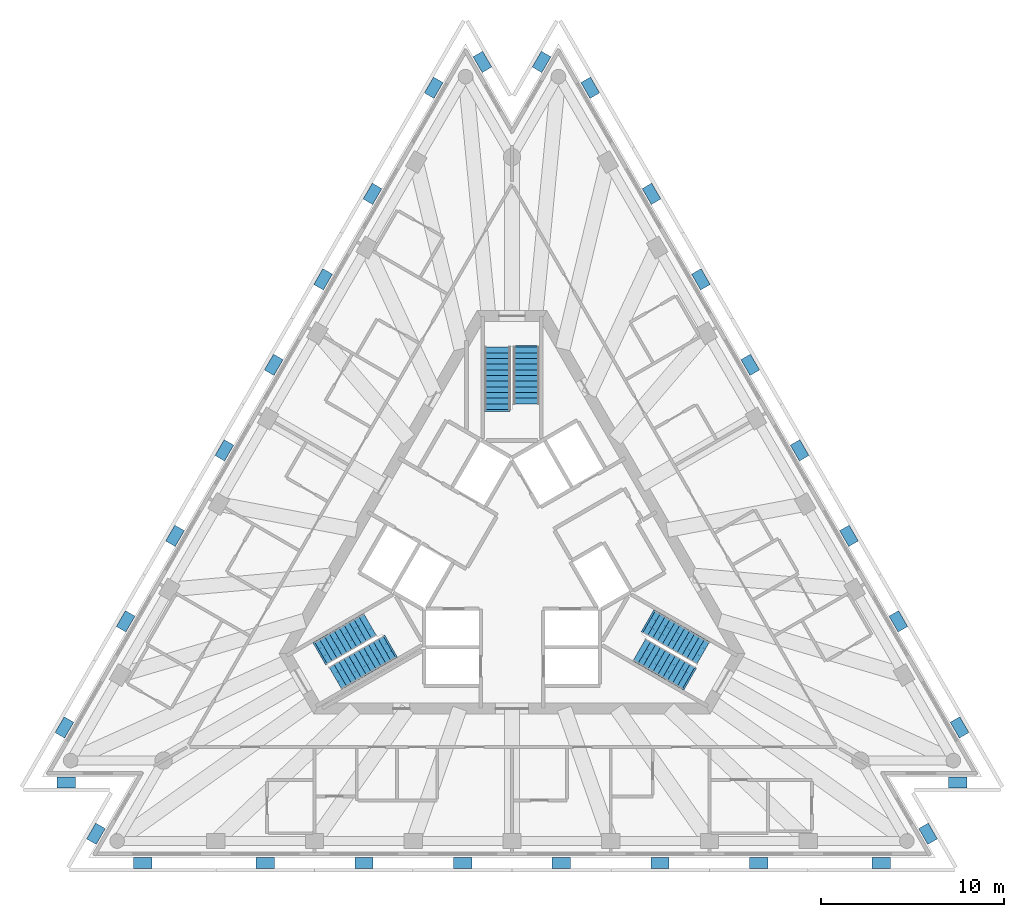
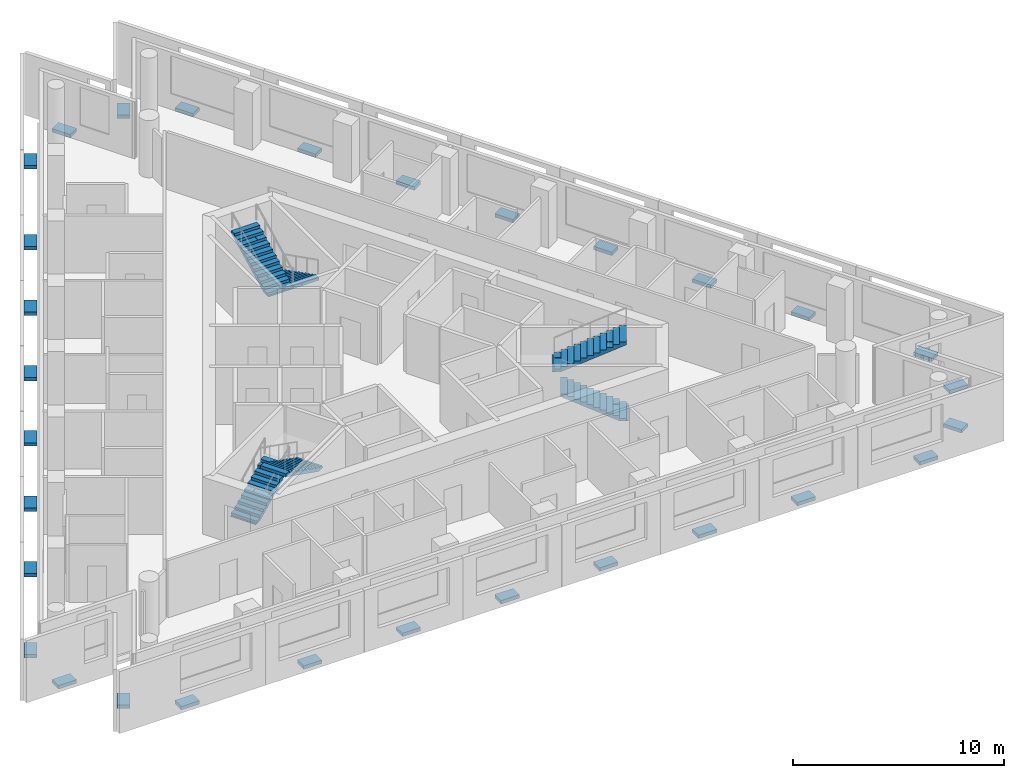
# One storey, part 8 of 10: 30 discrete accessories, 6 stair flights, 3 elements without a shape of their own.
"""IFC4 building model written with IfcOpenShell, lengths in metres."""

from ifc_helpers import new_model, si_unit, direction, frame, origin, origin_2d, place, context, subcontext, project, spatial, polyline, rectangle, outline, extrude, material, type_object, element, aggregate, save


model = new_model("IFC4")

# Units and contexts
model_context = context("Model", 3, precision=1e-05, world=origin(), true_north=direction((0.0, 1.0)))
body_context = subcontext(model_context, "Body", "Model", "MODEL_VIEW")
ifc_project = project(units=[si_unit("LENGTHUNIT", "METRE"), si_unit("AREAUNIT", "SQUARE_METRE"), si_unit("VOLUMEUNIT", "CUBIC_METRE"), si_unit("PLANEANGLEUNIT", "RADIAN"), si_unit("MASSUNIT", "GRAM", prefix="KILO")], contexts=[model_context])

# Site, building, storey
site_placement = place(None, origin())
site = spatial("IfcSite", under=ifc_project, at=site_placement, CompositionType="ELEMENT")
building_placement = place(site_placement, origin())
building = spatial("IfcBuilding", under=site, at=building_placement, Name="Triada Interchange Tower", CompositionType="ELEMENT")
storey_placement = place(building_placement, frame((0.0, 0.0, 289.89990234375)))
storey = spatial("IfcBuildingStorey", under=building, at=storey_placement, Name="L68", CompositionType="ELEMENT", Elevation=289.89990234375)

# Stair, stair flights
ifc_material_1 = material(Name="Concrete C35/45", Category="concrete")
stair_type = type_object("IfcStairType", Name="HALF TURN STAIR 1400", PredefinedType="HALF_TURN_STAIR", material=ifc_material_1)
stair_1_placement = place(storey_placement, origin())
stair_1 = element("IfcStair", 1, at=stair_1_placement, inside=storey, type_object=stair_type, Name="Exit stair S68-1", PredefinedType="HALF_TURN_STAIR")
stair_flight_type = type_object("IfcStairFlightType", Name="STRAIGHT STAIR FLIGHT 1400", PredefinedType="STRAIGHT", material=ifc_material_1)
stair_flight_1_placement = place(storey_placement, frame((0.800048828125, 11.60009765625, 0.0), z_axis=(0.0, 0.0, 1.0), x_axis=(0.0, -1.0, 0.0)))
stair_flight_1 = element("IfcStairFlight", 2, at=stair_flight_1_placement, type_object=stair_flight_type, Name="S68-1 flight 1", NumberOfRisers=11, NumberOfTreads=10, PredefinedType="STRAIGHT", RiserHeight=0.15652, TreadLength=0.31, context=body_context, shape_type="SweptSolid", body=[
    extrude(outline(polyline([(-0.10009765625, 0.0), (-0.10009765625, 0.02001953125), (0.0, 0.02001953125), (0.0, 0.156494140625), (0.31005859375, 0.156494140625), (0.31005859375, 0.31298828125), (0.6201171875, 0.31298828125), (0.6201171875, 0.469482421875), (0.929931640625, 0.469482421875), (0.929931640625, 0.6259765625), (1.239990234375, 0.6259765625), (1.239990234375, 0.78271484375), (1.550048828125, 0.78271484375), (1.550048828125, 0.939208984375), (1.860107421875, 0.939208984375), (1.860107421875, 1.095703125), (2.169921875, 1.095703125), (2.169921875, 1.252197265625), (2.47998046875, 1.252197265625), (2.47998046875, 1.40869140625), (2.7900390625, 1.40869140625), (2.7900390625, 1.565185546875), (3.10009765625, 1.565185546875), (3.10400390625, 1.565185546875), (3.10400390625, 1.7216796875), (3.10400390625, 1.397216796875), (0.33251953125, 0.0), (-0.10009765625, 0.0)])), frame((0.0, 0.699951171875, 0.0), z_axis=(0.0, -1.0, 0.0), x_axis=(1.0, 0.0, 0.0)), (0.0, 0.0, 1.0), 0.46533203125),
    extrude(outline(polyline([(-0.10009765625, 0.0), (-0.10009765625, 0.02001953125), (0.0, 0.02001953125), (0.0, 0.156494140625), (0.31005859375, 0.156494140625), (0.31005859375, 0.31298828125), (0.6201171875, 0.31298828125), (0.6201171875, 0.469482421875), (0.929931640625, 0.469482421875), (0.929931640625, 0.6259765625), (1.239990234375, 0.6259765625), (1.239990234375, 0.78271484375), (1.550048828125, 0.78271484375), (1.550048828125, 0.939208984375), (1.860107421875, 0.939208984375), (1.860107421875, 1.095703125), (2.169921875, 1.095703125), (2.169921875, 1.252197265625), (2.47998046875, 1.252197265625), (2.47998046875, 1.40869140625), (2.7900390625, 1.40869140625), (2.7900390625, 1.565185546875), (3.10009765625, 1.565185546875), (3.10400390625, 1.565185546875), (3.10400390625, 1.7216796875), (3.10400390625, 1.397216796875), (0.33251953125, 0.0), (-0.10009765625, 0.0)])), frame((0.0, 0.232666015625, 0.0), z_axis=(0.0, -1.0, 0.0), x_axis=(1.0, 0.0, 0.0)), (0.0, 0.0, 1.0), 0.46533203125),
    extrude(outline(polyline([(-0.10009765625, 0.0), (-0.10009765625, 0.02001953125), (0.0, 0.02001953125), (0.0, 0.156494140625), (0.31005859375, 0.156494140625), (0.31005859375, 0.31298828125), (0.6201171875, 0.31298828125), (0.6201171875, 0.469482421875), (0.929931640625, 0.469482421875), (0.929931640625, 0.6259765625), (1.239990234375, 0.6259765625), (1.239990234375, 0.78271484375), (1.550048828125, 0.78271484375), (1.550048828125, 0.939208984375), (1.860107421875, 0.939208984375), (1.860107421875, 1.095703125), (2.169921875, 1.095703125), (2.169921875, 1.252197265625), (2.47998046875, 1.252197265625), (2.47998046875, 1.40869140625), (2.7900390625, 1.40869140625), (2.7900390625, 1.565185546875), (3.10009765625, 1.565185546875), (3.10400390625, 1.565185546875), (3.10400390625, 1.7216796875), (3.10400390625, 1.397216796875), (0.33251953125, 0.0), (-0.10009765625, 0.0)])), frame((0.0, -0.234619140625, 0.0), z_axis=(0.0, -1.0, 0.0), x_axis=(1.0, 0.0, 0.0)), (0.0, 0.0, 1.0), 0.46533203125),
])
stair_flight_2_placement = place(storey_placement, frame((-0.800048828125, 8.18994140625, 1.7216796875), z_axis=(0.0, 0.0, 1.0), x_axis=(0.0, 1.0, 0.0)))
stair_flight_2 = element("IfcStairFlight", 3, at=stair_flight_2_placement, type_object=stair_flight_type, Name="S68-1 flight 2", NumberOfRisers=12, NumberOfTreads=11, PredefinedType="STRAIGHT", RiserHeight=0.15652, TreadLength=0.31, context=body_context, shape_type="SweptSolid", body=[
    extrude(outline(polyline([(-0.10009765625, 0.0), (-0.10009765625, 0.02001953125), (0.0, 0.02001953125), (0.0, 0.156494140625), (0.31005859375, 0.156494140625), (0.31005859375, 0.31298828125), (0.6201171875, 0.31298828125), (0.6201171875, 0.469482421875), (0.929931640625, 0.469482421875), (0.929931640625, 0.6259765625), (1.239990234375, 0.6259765625), (1.239990234375, 0.78271484375), (1.550048828125, 0.78271484375), (1.550048828125, 0.939208984375), (1.860107421875, 0.939208984375), (1.860107421875, 1.095703125), (2.169921875, 1.095703125), (2.169921875, 1.252197265625), (2.47998046875, 1.252197265625), (2.47998046875, 1.40869140625), (2.7900390625, 1.40869140625), (2.7900390625, 1.565185546875), (3.10009765625, 1.565185546875), (3.10009765625, 1.7216796875), (3.409912109375, 1.7216796875), (3.4140625, 1.7216796875), (3.4140625, 1.878173828125), (3.4140625, 1.5537109375), (0.33251953125, 0.0), (-0.10009765625, 0.0)])), frame((0.0, 0.699951171875, 0.0), z_axis=(0.0, -1.0, 0.0), x_axis=(1.0, 0.0, 0.0)), (0.0, 0.0, 1.0), 0.46533203125),
    extrude(outline(polyline([(-0.10009765625, 0.0), (-0.10009765625, 0.02001953125), (0.0, 0.02001953125), (0.0, 0.156494140625), (0.31005859375, 0.156494140625), (0.31005859375, 0.31298828125), (0.6201171875, 0.31298828125), (0.6201171875, 0.469482421875), (0.929931640625, 0.469482421875), (0.929931640625, 0.6259765625), (1.239990234375, 0.6259765625), (1.239990234375, 0.78271484375), (1.550048828125, 0.78271484375), (1.550048828125, 0.939208984375), (1.860107421875, 0.939208984375), (1.860107421875, 1.095703125), (2.169921875, 1.095703125), (2.169921875, 1.252197265625), (2.47998046875, 1.252197265625), (2.47998046875, 1.40869140625), (2.7900390625, 1.40869140625), (2.7900390625, 1.565185546875), (3.10009765625, 1.565185546875), (3.10009765625, 1.7216796875), (3.409912109375, 1.7216796875), (3.4140625, 1.7216796875), (3.4140625, 1.878173828125), (3.4140625, 1.5537109375), (0.33251953125, 0.0), (-0.10009765625, 0.0)])), frame((0.0, 0.232666015625, 0.0), z_axis=(0.0, -1.0, 0.0), x_axis=(1.0, 0.0, 0.0)), (0.0, 0.0, 1.0), 0.46533203125),
    extrude(outline(polyline([(-0.10009765625, 0.0), (-0.10009765625, 0.02001953125), (0.0, 0.02001953125), (0.0, 0.156494140625), (0.31005859375, 0.156494140625), (0.31005859375, 0.31298828125), (0.6201171875, 0.31298828125), (0.6201171875, 0.469482421875), (0.929931640625, 0.469482421875), (0.929931640625, 0.6259765625), (1.239990234375, 0.6259765625), (1.239990234375, 0.78271484375), (1.550048828125, 0.78271484375), (1.550048828125, 0.939208984375), (1.860107421875, 0.939208984375), (1.860107421875, 1.095703125), (2.169921875, 1.095703125), (2.169921875, 1.252197265625), (2.47998046875, 1.252197265625), (2.47998046875, 1.40869140625), (2.7900390625, 1.40869140625), (2.7900390625, 1.565185546875), (3.10009765625, 1.565185546875), (3.10009765625, 1.7216796875), (3.409912109375, 1.7216796875), (3.4140625, 1.7216796875), (3.4140625, 1.878173828125), (3.4140625, 1.5537109375), (0.33251953125, 0.0), (-0.10009765625, 0.0)])), frame((0.0, -0.234619140625, 0.0), z_axis=(0.0, -1.0, 0.0), x_axis=(1.0, 0.0, 0.0)), (0.0, 0.0, 1.0), 0.46533203125),
])
aggregate(stair_1, [stair_flight_1, stair_flight_2])

stair_2_placement = place(storey_placement, origin())
stair_2 = element("IfcStair", 4, at=stair_2_placement, inside=storey, type_object=stair_type, Name="Exit stair S68-2", PredefinedType="HALF_TURN_STAIR")
stair_flight_3_placement = place(storey_placement, frame((-10.446044921875, -5.10693359375, 0.0), z_axis=(0.0, 0.0, 1.0), x_axis=(0.866025403784, 0.5, 0.0)))
stair_flight_3 = element("IfcStairFlight", 5, at=stair_flight_3_placement, type_object=stair_flight_type, Name="S68-2 flight 1", NumberOfRisers=11, NumberOfTreads=10, PredefinedType="STRAIGHT", RiserHeight=0.15652, TreadLength=0.31, context=body_context, shape_type="SweptSolid", body=[
    extrude(outline(polyline([(-0.10009765625, 0.0), (-0.10009765625, 0.02001953125), (0.0, 0.02001953125), (0.0, 0.156494140625), (0.31005859375, 0.156494140625), (0.31005859375, 0.31298828125), (0.6201171875, 0.31298828125), (0.6201171875, 0.469482421875), (0.929931640625, 0.469482421875), (0.929931640625, 0.6259765625), (1.239990234375, 0.6259765625), (1.239990234375, 0.78271484375), (1.550048828125, 0.78271484375), (1.550048828125, 0.939208984375), (1.860107421875, 0.939208984375), (1.860107421875, 1.095703125), (2.169921875, 1.095703125), (2.169921875, 1.252197265625), (2.47998046875, 1.252197265625), (2.47998046875, 1.40869140625), (2.7900390625, 1.40869140625), (2.7900390625, 1.565185546875), (3.10009765625, 1.565185546875), (3.10400390625, 1.565185546875), (3.10400390625, 1.7216796875), (3.10400390625, 1.397216796875), (0.33251953125, 0.0), (-0.10009765625, 0.0)])), frame((0.0, 0.699951171875, 0.0), z_axis=(0.0, -1.0, 0.0), x_axis=(1.0, 0.0, 0.0)), (0.0, 0.0, 1.0), 0.46533203125),
    extrude(outline(polyline([(-0.10009765625, 0.0), (-0.10009765625, 0.02001953125), (0.0, 0.02001953125), (0.0, 0.156494140625), (0.31005859375, 0.156494140625), (0.31005859375, 0.31298828125), (0.6201171875, 0.31298828125), (0.6201171875, 0.469482421875), (0.929931640625, 0.469482421875), (0.929931640625, 0.6259765625), (1.239990234375, 0.6259765625), (1.239990234375, 0.78271484375), (1.550048828125, 0.78271484375), (1.550048828125, 0.939208984375), (1.860107421875, 0.939208984375), (1.860107421875, 1.095703125), (2.169921875, 1.095703125), (2.169921875, 1.252197265625), (2.47998046875, 1.252197265625), (2.47998046875, 1.40869140625), (2.7900390625, 1.40869140625), (2.7900390625, 1.565185546875), (3.10009765625, 1.565185546875), (3.10400390625, 1.565185546875), (3.10400390625, 1.7216796875), (3.10400390625, 1.397216796875), (0.33251953125, 0.0), (-0.10009765625, 0.0)])), frame((0.0, 0.232666015625, 0.0), z_axis=(0.0, -1.0, 0.0), x_axis=(1.0, 0.0, 0.0)), (0.0, 0.0, 1.0), 0.46533203125),
    extrude(outline(polyline([(-0.10009765625, 0.0), (-0.10009765625, 0.02001953125), (0.0, 0.02001953125), (0.0, 0.156494140625), (0.31005859375, 0.156494140625), (0.31005859375, 0.31298828125), (0.6201171875, 0.31298828125), (0.6201171875, 0.469482421875), (0.929931640625, 0.469482421875), (0.929931640625, 0.6259765625), (1.239990234375, 0.6259765625), (1.239990234375, 0.78271484375), (1.550048828125, 0.78271484375), (1.550048828125, 0.939208984375), (1.860107421875, 0.939208984375), (1.860107421875, 1.095703125), (2.169921875, 1.095703125), (2.169921875, 1.252197265625), (2.47998046875, 1.252197265625), (2.47998046875, 1.40869140625), (2.7900390625, 1.40869140625), (2.7900390625, 1.565185546875), (3.10009765625, 1.565185546875), (3.10400390625, 1.565185546875), (3.10400390625, 1.7216796875), (3.10400390625, 1.397216796875), (0.33251953125, 0.0), (-0.10009765625, 0.0)])), frame((0.0, -0.234619140625, 0.0), z_axis=(0.0, -1.0, 0.0), x_axis=(1.0, 0.0, 0.0)), (0.0, 0.0, 1.0), 0.46533203125),
])
stair_flight_4_placement = place(storey_placement, frame((-6.693115234375, -4.7880859375, 1.7216796875), z_axis=(0.0, 0.0, 1.0), x_axis=(-0.866025403784, -0.5, 0.0)))
stair_flight_4 = element("IfcStairFlight", 6, at=stair_flight_4_placement, type_object=stair_flight_type, Name="S68-2 flight 2", NumberOfRisers=12, NumberOfTreads=11, PredefinedType="STRAIGHT", RiserHeight=0.15652, TreadLength=0.31, context=body_context, shape_type="SweptSolid", body=[
    extrude(outline(polyline([(-0.10009765625, 0.0), (-0.10009765625, 0.02001953125), (0.0, 0.02001953125), (0.0, 0.156494140625), (0.31005859375, 0.156494140625), (0.31005859375, 0.31298828125), (0.6201171875, 0.31298828125), (0.6201171875, 0.469482421875), (0.929931640625, 0.469482421875), (0.929931640625, 0.6259765625), (1.239990234375, 0.6259765625), (1.239990234375, 0.78271484375), (1.550048828125, 0.78271484375), (1.550048828125, 0.939208984375), (1.860107421875, 0.939208984375), (1.860107421875, 1.095703125), (2.169921875, 1.095703125), (2.169921875, 1.252197265625), (2.47998046875, 1.252197265625), (2.47998046875, 1.40869140625), (2.7900390625, 1.40869140625), (2.7900390625, 1.565185546875), (3.10009765625, 1.565185546875), (3.10009765625, 1.7216796875), (3.409912109375, 1.7216796875), (3.4140625, 1.7216796875), (3.4140625, 1.878173828125), (3.4140625, 1.5537109375), (0.33251953125, 0.0), (-0.10009765625, 0.0)])), frame((0.0, 0.699951171875, 0.0), z_axis=(0.0, -1.0, 0.0), x_axis=(1.0, 0.0, 0.0)), (0.0, 0.0, 1.0), 0.46533203125),
    extrude(outline(polyline([(-0.10009765625, 0.0), (-0.10009765625, 0.02001953125), (0.0, 0.02001953125), (0.0, 0.156494140625), (0.31005859375, 0.156494140625), (0.31005859375, 0.31298828125), (0.6201171875, 0.31298828125), (0.6201171875, 0.469482421875), (0.929931640625, 0.469482421875), (0.929931640625, 0.6259765625), (1.239990234375, 0.6259765625), (1.239990234375, 0.78271484375), (1.550048828125, 0.78271484375), (1.550048828125, 0.939208984375), (1.860107421875, 0.939208984375), (1.860107421875, 1.095703125), (2.169921875, 1.095703125), (2.169921875, 1.252197265625), (2.47998046875, 1.252197265625), (2.47998046875, 1.40869140625), (2.7900390625, 1.40869140625), (2.7900390625, 1.565185546875), (3.10009765625, 1.565185546875), (3.10009765625, 1.7216796875), (3.409912109375, 1.7216796875), (3.4140625, 1.7216796875), (3.4140625, 1.878173828125), (3.4140625, 1.5537109375), (0.33251953125, 0.0), (-0.10009765625, 0.0)])), frame((0.0, 0.232666015625, 0.0), z_axis=(0.0, -1.0, 0.0), x_axis=(1.0, 0.0, 0.0)), (0.0, 0.0, 1.0), 0.46533203125),
    extrude(outline(polyline([(-0.10009765625, 0.0), (-0.10009765625, 0.02001953125), (0.0, 0.02001953125), (0.0, 0.156494140625), (0.31005859375, 0.156494140625), (0.31005859375, 0.31298828125), (0.6201171875, 0.31298828125), (0.6201171875, 0.469482421875), (0.929931640625, 0.469482421875), (0.929931640625, 0.6259765625), (1.239990234375, 0.6259765625), (1.239990234375, 0.78271484375), (1.550048828125, 0.78271484375), (1.550048828125, 0.939208984375), (1.860107421875, 0.939208984375), (1.860107421875, 1.095703125), (2.169921875, 1.095703125), (2.169921875, 1.252197265625), (2.47998046875, 1.252197265625), (2.47998046875, 1.40869140625), (2.7900390625, 1.40869140625), (2.7900390625, 1.565185546875), (3.10009765625, 1.565185546875), (3.10009765625, 1.7216796875), (3.409912109375, 1.7216796875), (3.4140625, 1.7216796875), (3.4140625, 1.878173828125), (3.4140625, 1.5537109375), (0.33251953125, 0.0), (-0.10009765625, 0.0)])), frame((0.0, -0.234619140625, 0.0), z_axis=(0.0, -1.0, 0.0), x_axis=(1.0, 0.0, 0.0)), (0.0, 0.0, 1.0), 0.46533203125),
])
aggregate(stair_2, [stair_flight_3, stair_flight_4])

stair_3_placement = place(storey_placement, origin())
stair_3 = element("IfcStair", 7, at=stair_3_placement, inside=storey, type_object=stair_type, Name="Exit stair S68-3", PredefinedType="HALF_TURN_STAIR")
stair_flight_5_placement = place(storey_placement, frame((9.64599609375, -6.492919921875, 0.0), z_axis=(0.0, 0.0, 1.0), x_axis=(-0.866025403784, 0.5, 0.0)))
stair_flight_5 = element("IfcStairFlight", 8, at=stair_flight_5_placement, type_object=stair_flight_type, Name="S68-3 flight 1", NumberOfRisers=11, NumberOfTreads=10, PredefinedType="STRAIGHT", RiserHeight=0.15652, TreadLength=0.31, context=body_context, shape_type="SweptSolid", body=[
    extrude(outline(polyline([(-0.10009765625, 0.0), (-0.10009765625, 0.02001953125), (0.0, 0.02001953125), (0.0, 0.156494140625), (0.31005859375, 0.156494140625), (0.31005859375, 0.31298828125), (0.6201171875, 0.31298828125), (0.6201171875, 0.469482421875), (0.929931640625, 0.469482421875), (0.929931640625, 0.6259765625), (1.239990234375, 0.6259765625), (1.239990234375, 0.78271484375), (1.550048828125, 0.78271484375), (1.550048828125, 0.939208984375), (1.860107421875, 0.939208984375), (1.860107421875, 1.095703125), (2.169921875, 1.095703125), (2.169921875, 1.252197265625), (2.47998046875, 1.252197265625), (2.47998046875, 1.40869140625), (2.7900390625, 1.40869140625), (2.7900390625, 1.565185546875), (3.10009765625, 1.565185546875), (3.10400390625, 1.565185546875), (3.10400390625, 1.7216796875), (3.10400390625, 1.397216796875), (0.33251953125, 0.0), (-0.10009765625, 0.0)])), frame((0.0, 0.699951171875, 0.0), z_axis=(0.0, -1.0, 0.0), x_axis=(1.0, 0.0, 0.0)), (0.0, 0.0, 1.0), 0.46533203125),
    extrude(outline(polyline([(-0.10009765625, 0.0), (-0.10009765625, 0.02001953125), (0.0, 0.02001953125), (0.0, 0.156494140625), (0.31005859375, 0.156494140625), (0.31005859375, 0.31298828125), (0.6201171875, 0.31298828125), (0.6201171875, 0.469482421875), (0.929931640625, 0.469482421875), (0.929931640625, 0.6259765625), (1.239990234375, 0.6259765625), (1.239990234375, 0.78271484375), (1.550048828125, 0.78271484375), (1.550048828125, 0.939208984375), (1.860107421875, 0.939208984375), (1.860107421875, 1.095703125), (2.169921875, 1.095703125), (2.169921875, 1.252197265625), (2.47998046875, 1.252197265625), (2.47998046875, 1.40869140625), (2.7900390625, 1.40869140625), (2.7900390625, 1.565185546875), (3.10009765625, 1.565185546875), (3.10400390625, 1.565185546875), (3.10400390625, 1.7216796875), (3.10400390625, 1.397216796875), (0.33251953125, 0.0), (-0.10009765625, 0.0)])), frame((0.0, 0.232666015625, 0.0), z_axis=(0.0, -1.0, 0.0), x_axis=(1.0, 0.0, 0.0)), (0.0, 0.0, 1.0), 0.46533203125),
    extrude(outline(polyline([(-0.10009765625, 0.0), (-0.10009765625, 0.02001953125), (0.0, 0.02001953125), (0.0, 0.156494140625), (0.31005859375, 0.156494140625), (0.31005859375, 0.31298828125), (0.6201171875, 0.31298828125), (0.6201171875, 0.469482421875), (0.929931640625, 0.469482421875), (0.929931640625, 0.6259765625), (1.239990234375, 0.6259765625), (1.239990234375, 0.78271484375), (1.550048828125, 0.78271484375), (1.550048828125, 0.939208984375), (1.860107421875, 0.939208984375), (1.860107421875, 1.095703125), (2.169921875, 1.095703125), (2.169921875, 1.252197265625), (2.47998046875, 1.252197265625), (2.47998046875, 1.40869140625), (2.7900390625, 1.40869140625), (2.7900390625, 1.565185546875), (3.10009765625, 1.565185546875), (3.10400390625, 1.565185546875), (3.10400390625, 1.7216796875), (3.10400390625, 1.397216796875), (0.33251953125, 0.0), (-0.10009765625, 0.0)])), frame((0.0, -0.234619140625, 0.0), z_axis=(0.0, -1.0, 0.0), x_axis=(1.0, 0.0, 0.0)), (0.0, 0.0, 1.0), 0.46533203125),
])
stair_flight_6_placement = place(storey_placement, frame((7.492919921875, -3.402099609375, 1.7216796875), z_axis=(0.0, 0.0, 1.0), x_axis=(0.866025403784, -0.5, 0.0)))
stair_flight_6 = element("IfcStairFlight", 9, at=stair_flight_6_placement, type_object=stair_flight_type, Name="S68-3 flight 2", NumberOfRisers=12, NumberOfTreads=11, PredefinedType="STRAIGHT", RiserHeight=0.15652, TreadLength=0.31, context=body_context, shape_type="SweptSolid", body=[
    extrude(outline(polyline([(-0.10009765625, 0.0), (-0.10009765625, 0.02001953125), (0.0, 0.02001953125), (0.0, 0.156494140625), (0.31005859375, 0.156494140625), (0.31005859375, 0.31298828125), (0.6201171875, 0.31298828125), (0.6201171875, 0.469482421875), (0.929931640625, 0.469482421875), (0.929931640625, 0.6259765625), (1.239990234375, 0.6259765625), (1.239990234375, 0.78271484375), (1.550048828125, 0.78271484375), (1.550048828125, 0.939208984375), (1.860107421875, 0.939208984375), (1.860107421875, 1.095703125), (2.169921875, 1.095703125), (2.169921875, 1.252197265625), (2.47998046875, 1.252197265625), (2.47998046875, 1.40869140625), (2.7900390625, 1.40869140625), (2.7900390625, 1.565185546875), (3.10009765625, 1.565185546875), (3.10009765625, 1.7216796875), (3.409912109375, 1.7216796875), (3.4140625, 1.7216796875), (3.4140625, 1.878173828125), (3.4140625, 1.5537109375), (0.33251953125, 0.0), (-0.10009765625, 0.0)])), frame((0.0, 0.699951171875, 0.0), z_axis=(0.0, -1.0, 0.0), x_axis=(1.0, 0.0, 0.0)), (0.0, 0.0, 1.0), 0.46533203125),
    extrude(outline(polyline([(-0.10009765625, 0.0), (-0.10009765625, 0.02001953125), (0.0, 0.02001953125), (0.0, 0.156494140625), (0.31005859375, 0.156494140625), (0.31005859375, 0.31298828125), (0.6201171875, 0.31298828125), (0.6201171875, 0.469482421875), (0.929931640625, 0.469482421875), (0.929931640625, 0.6259765625), (1.239990234375, 0.6259765625), (1.239990234375, 0.78271484375), (1.550048828125, 0.78271484375), (1.550048828125, 0.939208984375), (1.860107421875, 0.939208984375), (1.860107421875, 1.095703125), (2.169921875, 1.095703125), (2.169921875, 1.252197265625), (2.47998046875, 1.252197265625), (2.47998046875, 1.40869140625), (2.7900390625, 1.40869140625), (2.7900390625, 1.565185546875), (3.10009765625, 1.565185546875), (3.10009765625, 1.7216796875), (3.409912109375, 1.7216796875), (3.4140625, 1.7216796875), (3.4140625, 1.878173828125), (3.4140625, 1.5537109375), (0.33251953125, 0.0), (-0.10009765625, 0.0)])), frame((0.0, 0.232666015625, 0.0), z_axis=(0.0, -1.0, 0.0), x_axis=(1.0, 0.0, 0.0)), (0.0, 0.0, 1.0), 0.46533203125),
    extrude(outline(polyline([(-0.10009765625, 0.0), (-0.10009765625, 0.02001953125), (0.0, 0.02001953125), (0.0, 0.156494140625), (0.31005859375, 0.156494140625), (0.31005859375, 0.31298828125), (0.6201171875, 0.31298828125), (0.6201171875, 0.469482421875), (0.929931640625, 0.469482421875), (0.929931640625, 0.6259765625), (1.239990234375, 0.6259765625), (1.239990234375, 0.78271484375), (1.550048828125, 0.78271484375), (1.550048828125, 0.939208984375), (1.860107421875, 0.939208984375), (1.860107421875, 1.095703125), (2.169921875, 1.095703125), (2.169921875, 1.252197265625), (2.47998046875, 1.252197265625), (2.47998046875, 1.40869140625), (2.7900390625, 1.40869140625), (2.7900390625, 1.565185546875), (3.10009765625, 1.565185546875), (3.10009765625, 1.7216796875), (3.409912109375, 1.7216796875), (3.4140625, 1.7216796875), (3.4140625, 1.878173828125), (3.4140625, 1.5537109375), (0.33251953125, 0.0), (-0.10009765625, 0.0)])), frame((0.0, -0.234619140625, 0.0), z_axis=(0.0, -1.0, 0.0), x_axis=(1.0, 0.0, 0.0)), (0.0, 0.0, 1.0), 0.46533203125),
])
aggregate(stair_3, [stair_flight_5, stair_flight_6])

# Discrete accessories
ifc_material_2 = material(Name="Steel S355", Category="steel")
discrete_accessory_type = type_object("IfcDiscreteAccessoryType", Name="Steel bracket outer skin", PredefinedType="BRACKET", material=ifc_material_2)
for number, where, z_axis, x_axis, name in (
    (10, (-4.277099609375, 25.77099609375, -0.27001953125), (0.0, 0.0, 1.0), (-0.866022925406, 0.500004292652, 0.0), "Bracket L68 01"),
    (11, (-7.6240234375, 19.97412109375, -0.27001953125), (0.0, 0.0, 1.0), (-0.866022925406, 0.500004292652, 0.0), "Bracket L68 02"),
    (12, (-10.321044921875, 15.302978515625, -0.27001953125), (0.0, 0.0, 1.0), (-0.866022925406, 0.500004292652, 0.0), "Bracket L68 03"),
    (13, (-13.01904296875, 10.631103515625, -0.27001953125), (0.0, 0.0, 1.0), (-0.866022925406, 0.500004292652, 0.0), "Bracket L68 04"),
    (14, (-15.716064453125, 5.958984375, -0.27001953125), (0.0, 0.0, 1.0), (-0.866022925406, 0.500004292652, 0.0), "Bracket L68 05"),
    (15, (-18.4130859375, 1.287109375, -0.27001953125), (0.0, 0.0, 1.0), (-0.866022925406, 0.500004292652, 0.0), "Bracket L68 06"),
    (16, (-21.110107421875, -3.384033203125, -0.27001953125), (0.0, 0.0, 1.0), (-0.866022925406, 0.500004292652, 0.0), "Bracket L68 07"),
    (17, (-24.45703125, -9.180908203125, -0.27001953125), (0.0, 0.0, 1.0), (-0.866022925406, 0.500004292652, 0.0), "Bracket L68 08"),
    (18, (-24.34912109375, -12.19189453125, -0.27001953125), (0.0, 0.0, 1.0), (0.0, -1.0, 0.0), "Bracket L68 09"),
    (19, (-22.73291015625, -14.990966796875, -0.27001953125), (0.0, 0.0, 1.0), (-0.866041303296, 0.499972460227, 0.0), "Bracket L68 10"),
    (20, (-20.178955078125, -16.590087890625, -0.27001953125), (0.0, 0.0, 1.0), (0.0, -1.0, 0.0), "Bracket L68 11"),
    (21, (-13.486083984375, -16.590087890625, -0.27001953125), (0.0, 0.0, 1.0), (0.0, -1.0, 0.0), "Bracket L68 12"),
    (22, (-8.091064453125, -16.590087890625, -0.27001953125), (0.0, 0.0, 1.0), (0.0, -1.0, 0.0), "Bracket L68 13"),
    (23, (-2.697021484375, -16.590087890625, -0.27001953125), (0.0, 0.0, 1.0), (0.0, -1.0, 0.0), "Bracket L68 14"),
    (24, (2.697021484375, -16.590087890625, -0.27001953125), (0.0, 0.0, 1.0), (0.0, -1.0, 0.0), "Bracket L68 15"),
    (25, (8.091064453125, -16.590087890625, -0.27001953125), (0.0, 0.0, 1.0), (0.0, -1.0, 0.0), "Bracket L68 16"),
    (26, (13.486083984375, -16.590087890625, -0.27001953125), (0.0, 0.0, 1.0), (0.0, -1.0, 0.0), "Bracket L68 17"),
    (27, (20.178955078125, -16.590087890625, -0.27001953125), (0.0, 0.0, 1.0), (0.0, -1.0, 0.0), "Bracket L68 18"),
    (28, (22.73291015625, -14.990966796875, -0.27001953125), (0.0, 0.0, 1.0), (0.866041303296, 0.499972460227, 0.0), "Bracket L68 19"),
    (29, (24.34912109375, -12.19189453125, -0.27001953125), (0.0, 0.0, 1.0), (0.0, -1.0, 0.0), "Bracket L68 20"),
    (30, (24.45703125, -9.180908203125, -0.27001953125), (0.0, 0.0, 1.0), (0.866022925406, 0.500004292652, 0.0), "Bracket L68 21"),
    (31, (21.110107421875, -3.384033203125, -0.27001953125), (0.0, 0.0, 1.0), (0.866022925406, 0.500004292652, 0.0), "Bracket L68 22"),
    (32, (18.4130859375, 1.287109375, -0.27001953125), (0.0, 0.0, 1.0), (0.866022925406, 0.500004292652, 0.0), "Bracket L68 23"),
    (33, (15.716064453125, 5.958984375, -0.27001953125), (0.0, 0.0, 1.0), (0.866022925406, 0.500004292652, 0.0), "Bracket L68 24"),
    (34, (13.01904296875, 10.631103515625, -0.27001953125), (0.0, 0.0, 1.0), (0.866022925406, 0.500004292652, 0.0), "Bracket L68 25"),
    (35, (10.321044921875, 15.302978515625, -0.27001953125), (0.0, 0.0, 1.0), (0.866022925406, 0.500004292652, 0.0), "Bracket L68 26"),
    (36, (7.6240234375, 19.97412109375, -0.27001953125), (0.0, 0.0, 1.0), (0.866022925406, 0.500004292652, 0.0), "Bracket L68 27"),
    (37, (4.277099609375, 25.77099609375, -0.27001953125), (0.0, 0.0, 1.0), (0.866022925406, 0.500004292652, 0.0), "Bracket L68 28"),
    (38, (1.615966796875, 27.18310546875, -0.27001953125), (0.0, 0.0, 1.0), (-0.866090514674, 0.499887207669, 0.0), "Bracket L68 29"),
    (39, (-1.615966796875, 27.18310546875, -0.27001953125), (0.0, 0.0, 1.0), (0.866090514674, 0.499887207669, 0.0), "Bracket L68 30"),
):
    element("IfcDiscreteAccessory", number, at=place(storey_placement, frame(where, z_axis=z_axis, x_axis=x_axis)), inside=storey, type_object=discrete_accessory_type, Name=name, PredefinedType="BRACKET", context=body_context, shape_type="SweptSolid", body=[
        extrude(rectangle(XDim=0.60009765625, YDim=1.0, at=origin_2d()), origin(), (0.0, 0.0, 1.0), 0.199951171875),
    ])

save(model, "model.ifc")
